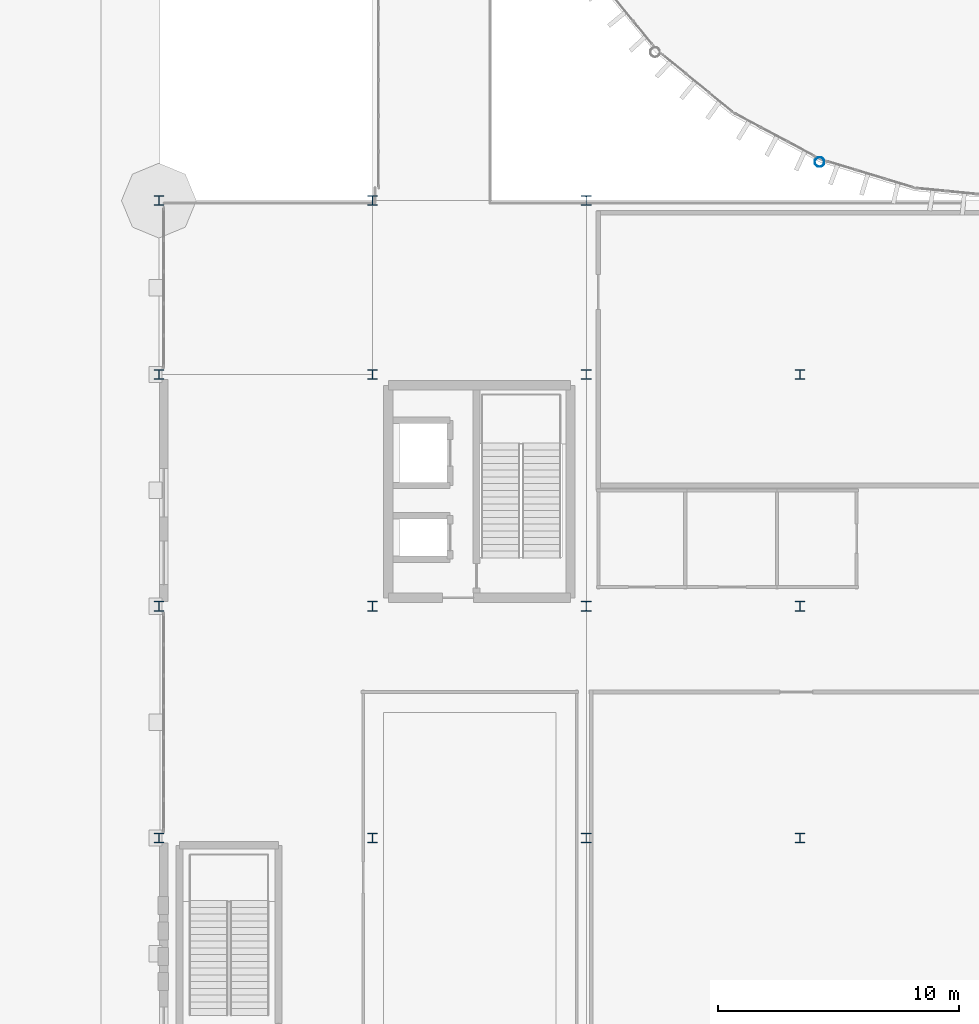
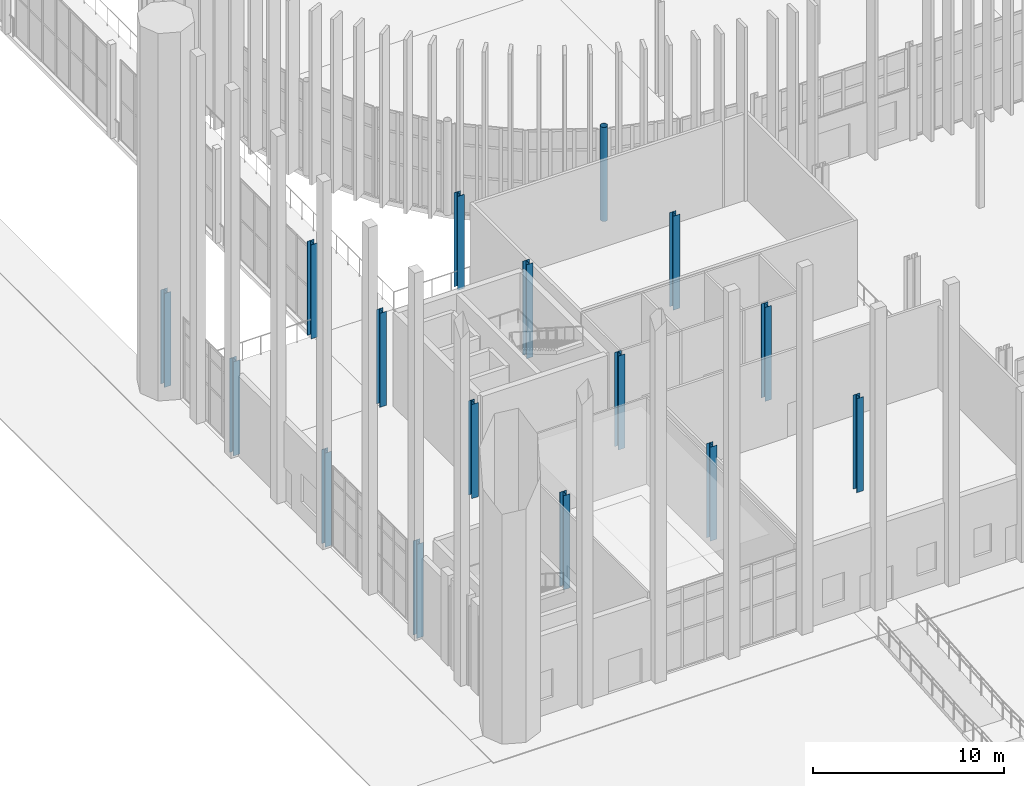
# One storey, part 3 of 139: 16 columns.
"""IFC4 building model written with IfcOpenShell, lengths in metres."""

from ifc_helpers import new_model, si_unit, direction, frame, origin, origin_2d, place, context, subcontext, project, spatial, hollow_circle, i_section, extrude, material, material_profile, profile_set, type_object, element, save


model = new_model("IFC4")

# Units and contexts
model_context = context("Model", 3, precision=1e-05, world=origin(), true_north=direction((0.0, 1.0)))
body_context = subcontext(model_context, "Body", "Model", "MODEL_VIEW")
ifc_project = project(units=[si_unit("LENGTHUNIT", "METRE"), si_unit("AREAUNIT", "SQUARE_METRE"), si_unit("VOLUMEUNIT", "CUBIC_METRE"), si_unit("PLANEANGLEUNIT", "RADIAN"), si_unit("MASSUNIT", "GRAM", prefix="KILO")], contexts=[model_context])

# Site, building, storey
site_placement = place(None, origin())
site = spatial("IfcSite", under=ifc_project, at=site_placement, CompositionType="ELEMENT")
building_placement = place(site_placement, origin())
building = spatial("IfcBuilding", under=site, at=building_placement, Name="Yeouljin Market Hall", CompositionType="ELEMENT")
storey_placement = place(building_placement, origin())
storey = spatial("IfcBuildingStorey", under=building, at=storey_placement, Name="L00", CompositionType="ELEMENT", Elevation=0.0)

# Columns
ifc_material_1 = material(Name="Steel SM355", Category="steel")
ifc_material_profile_1 = material_profile(ifc_material_1, hollow_circle(Radius=0.203125, WallThickness=0.011962890625, at=origin_2d()), Name="CHS-406.4x12")
ifc_profile_set_1 = profile_set([ifc_material_profile_1], Name="Steel SM355")
column_type_1 = type_object("IfcColumnType", Name="Col_CHS-406.4x12", PredefinedType="COLUMN", material=ifc_profile_set_1)
column_placement = place(storey_placement, frame((27.363525390625, 37.598388671875, 0.0), z_axis=(0.0, 0.0, 1.0), x_axis=(1.0, 0.0, 0.0)))
element("IfcColumn", 1, at=column_placement, inside=storey, type_object=column_type_1, Name="Column AP-W02 (L00)", PredefinedType="COLUMN", context=body_context, shape_type="SweptSolid", body=[
    extrude(hollow_circle(Radius=0.203125, WallThickness=0.011962890625, at=origin_2d()), origin(), (0.0, 0.0, 1.0), 6.0),
])
ifc_material_2 = material(Name="Steel SM355", Category="steel")
ifc_material_profile_2 = material_profile(ifc_material_2, i_section(OverallWidth=0.39990234375, OverallDepth=0.39990234375, WebThickness=0.012939453125, FlangeThickness=0.02099609375, FilletRadius=0.02197265625, at=origin_2d()), Name="H-400x400x13x21")
ifc_profile_set_2 = profile_set([ifc_material_profile_2], Name="Steel SM355")
column_type_2 = type_object("IfcColumnType", Name="Col_H-400x400x13x21", PredefinedType="COLUMN", material=ifc_profile_set_2)
for number, where, z_axis, x_axis, name in (
    (2, (0.0, 9.60009765625, 0.0), (0.0, 0.0, 1.0), (1.0, 0.0, 0.0), "Column G-00-01 (L00)"),
    (3, (0.0, 19.199951171875, 0.0), (0.0, 0.0, 1.0), (1.0, 0.0, 0.0), "Column G-00-02 (L00)"),
    (4, (0.0, 28.800048828125, 0.0), (0.0, 0.0, 1.0), (1.0, 0.0, 0.0), "Column G-00-03 (L00)"),
    (5, (0.0, 36.0, 0.0), (0.0, 0.0, 1.0), (1.0, 0.0, 0.0), "Column G-00-04 (L00)"),
    (6, (8.85009765625, 9.60009765625, 0.0), (0.0, 0.0, 1.0), (1.0, 0.0, 0.0), "Column G-01-01 (L00)"),
    (7, (8.85009765625, 19.199951171875, 0.0), (0.0, 0.0, 1.0), (1.0, 0.0, 0.0), "Column G-01-02 (L00)"),
    (8, (8.85009765625, 28.800048828125, 0.0), (0.0, 0.0, 1.0), (1.0, 0.0, 0.0), "Column G-01-03 (L00)"),
    (9, (8.85009765625, 36.0, 0.0), (0.0, 0.0, 1.0), (1.0, 0.0, 0.0), "Column G-01-04 (L00)"),
    (10, (17.699951171875, 9.60009765625, 0.0), (0.0, 0.0, 1.0), (1.0, 0.0, 0.0), "Column G-02-01 (L00)"),
    (11, (17.699951171875, 19.199951171875, 0.0), (0.0, 0.0, 1.0), (1.0, 0.0, 0.0), "Column G-02-02 (L00)"),
    (12, (17.699951171875, 28.800048828125, 0.0), (0.0, 0.0, 1.0), (1.0, 0.0, 0.0), "Column G-02-03 (L00)"),
    (13, (17.699951171875, 36.0, 0.0), (0.0, 0.0, 1.0), (1.0, 0.0, 0.0), "Column G-02-04 (L00)"),
    (14, (26.550048828125, 9.60009765625, 0.0), (0.0, 0.0, 1.0), (1.0, 0.0, 0.0), "Column G-03-01 (L00)"),
    (15, (26.550048828125, 19.199951171875, 0.0), (0.0, 0.0, 1.0), (1.0, 0.0, 0.0), "Column G-03-02 (L00)"),
    (16, (26.550048828125, 28.800048828125, 0.0), (0.0, 0.0, 1.0), (1.0, 0.0, 0.0), "Column G-03-03 (L00)"),
):
    element("IfcColumn", number, at=place(storey_placement, frame(where, z_axis=z_axis, x_axis=x_axis)), inside=storey, type_object=column_type_2, Name=name, PredefinedType="COLUMN", context=body_context, shape_type="SweptSolid", body=[
        extrude(i_section(OverallWidth=0.39990234375, OverallDepth=0.39990234375, WebThickness=0.012939453125, FlangeThickness=0.02099609375, FilletRadius=0.02197265625, at=origin_2d()), origin(), (0.0, 0.0, 1.0), 6.0),
    ])

save(model, "model.ifc")
